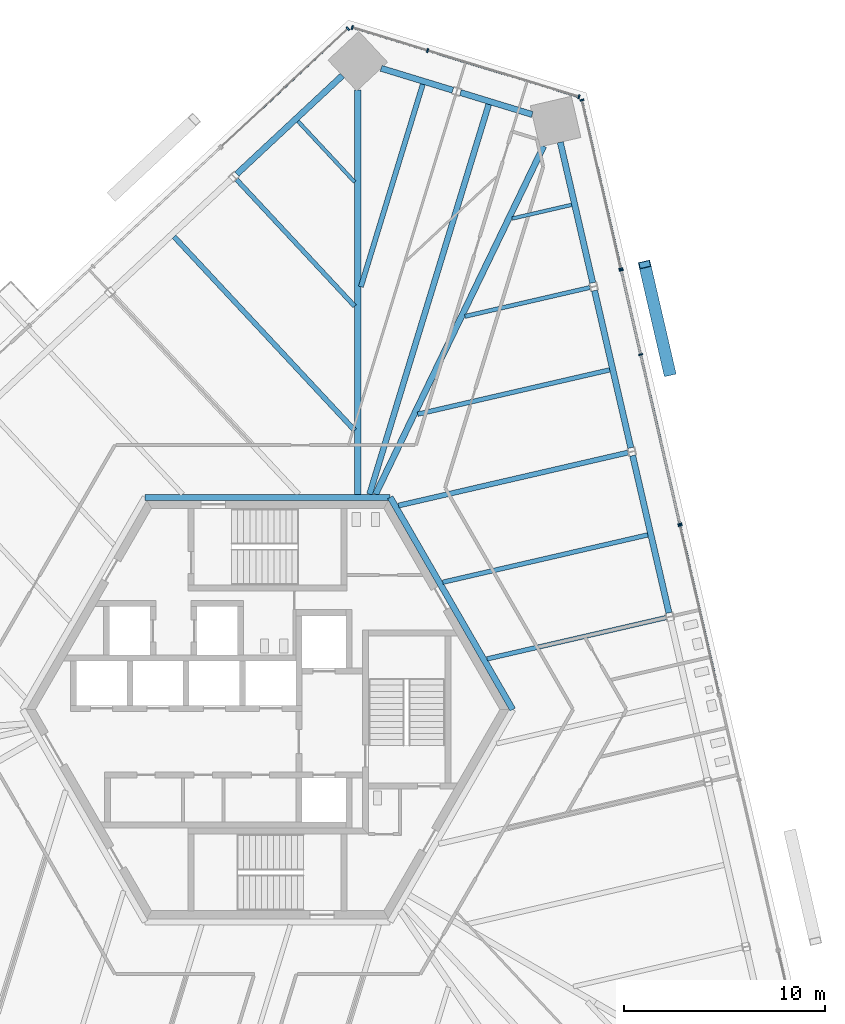
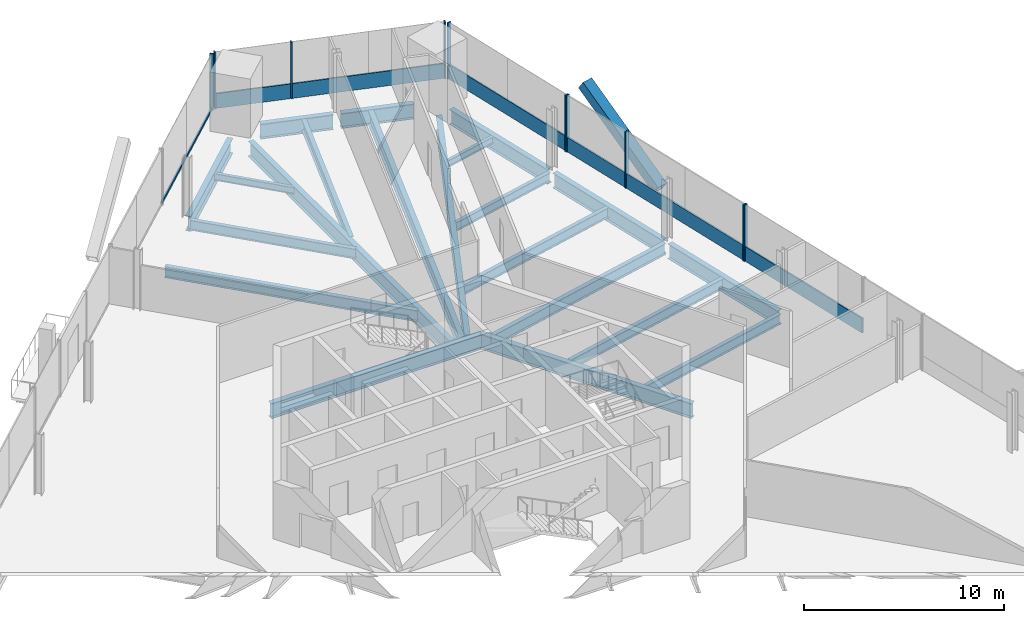
# One storey, part 8 of 17: 21 beams, 18 members, 5 elements without a shape of their own.
"""IFC4 building model written with IfcOpenShell, lengths in metres."""

from ifc_helpers import new_model, si_unit, direction, frame, origin, origin_2d, place, context, subcontext, project, spatial, rectangle, hollow_rectangle, i_section, extrude, source, transform, mapped, material, material_profile, profile_set, type_object, element, aggregate, save


model = new_model("IFC4")

# Units and contexts
model_context = context("Model", 3, precision=1e-05, world=origin(), true_north=direction((0.0, 1.0)))
body_context = subcontext(model_context, "Body", "Model", "MODEL_VIEW")
ifc_project = project(units=[si_unit("LENGTHUNIT", "METRE"), si_unit("AREAUNIT", "SQUARE_METRE"), si_unit("VOLUMEUNIT", "CUBIC_METRE"), si_unit("PLANEANGLEUNIT", "RADIAN"), si_unit("MASSUNIT", "GRAM", prefix="KILO")], contexts=[model_context])

# Site, building, storey
site_placement = place(None, origin())
site = spatial("IfcSite", under=ifc_project, at=site_placement, CompositionType="ELEMENT")
building_placement = place(site_placement, origin())
building = spatial("IfcBuilding", under=site, at=building_placement, Name="Triune Harvest Tower", CompositionType="ELEMENT")
storey_placement = place(building_placement, frame((0.0, 0.0, 123.5)))
storey = spatial("IfcBuildingStorey", under=building, at=storey_placement, Name="L31", CompositionType="ELEMENT", Elevation=123.5)

# Curtain wall, member
ifc_material_1 = material(Name="Aluminium bronze anodised", Category="aluminium")
curtain_wall_type_1 = type_object("IfcCurtainWallType", Name="CW-7 Tower stick curtain wall with insulated spandrel infill", PredefinedType="NOTDEFINED", material=ifc_material_1)
curtain_wall_1_placement = place(storey_placement, origin())
curtain_wall_1 = element("IfcCurtainWall", 1, at=curtain_wall_1_placement, inside=storey, type_object=curtain_wall_type_1, Name="CW-7 B3-F1 L31 run 3001")
ifc_material_2 = material(Name="Aluminium bronze anodised", Category="aluminium")
ifc_material_profile_1 = material_profile(ifc_material_2, rectangle(XDim=0.090087890625, YDim=0.89990234375, at=origin_2d()), Name="TR-1 transom 90 x 900")
ifc_profile_set_1 = profile_set([ifc_material_profile_1], Name="Aluminium bronze anodised")
member_type_1 = type_object("IfcMemberType", Name="TR-1 transom 90 x 900", PredefinedType="USERDEFINED", material=ifc_profile_set_1)
member_1_placement = place(storey_placement, frame((18.523681640625, 17.67236328125, 0.449951171875), z_axis=(-0.224960767235, 0.974367822337, 0.0), x_axis=(-0.974367822337, -0.224960767235, 0.0)))
member_1 = element("IfcMember", 2, at=member_1_placement, type_object=member_type_1, Name="CW-7 transom B3-F1 3001.2", ObjectType="TRANSOM", PredefinedType="USERDEFINED", context=body_context, shape_type="SweptSolid", body=[
    extrude(rectangle(XDim=0.090087890625, YDim=0.89990234375, at=origin_2d()), origin(), (0.0, 0.0, 1.0), 4.22607421875),
])

# Beams
ifc_material_3 = material(Name="Steel ASTM A992 Gr 50", Category="steel")
ifc_material_profile_2 = material_profile(ifc_material_3, i_section(OverallWidth=0.3046875, OverallDepth=0.914306640625, WebThickness=0.0166015625, FlangeThickness=0.02587890625, at=origin_2d()), Name="W36x160")
ifc_profile_set_2 = profile_set([ifc_material_profile_2], Name="Steel ASTM A992 Gr 50")
beam_type_1 = type_object("IfcBeamType", Name="CG-1 Core ring girder W36x160", PredefinedType="BEAM", material=ifc_profile_set_2)
shared_shape_1 = source(origin(), body_context, "Body", "SweptSolid", [
    extrude(i_section(OverallWidth=0.3046875, OverallDepth=0.914306640625, WebThickness=0.0166015625, FlangeThickness=0.02587890625, at=origin_2d()), origin(), (0.0, 0.0, 1.0), 12.176025390625),
])
beam_1_placement = place(storey_placement, frame((12.176025390625, 0.0, -0.6171875), z_axis=(-0.5000099932, 0.866019634131, 0.0), x_axis=(-0.866019634131, -0.5000099932, 0.0)))
element("IfcBeam", 3, at=beam_1_placement, inside=storey, type_object=beam_type_1, Name="beam/L31/CG1", PredefinedType="BEAM", context=body_context, shape_type="MappedRepresentation", body=[
    mapped(shared_shape_1, transform((0.0, 0.0, 0.0), scale=1.0)),
])
shared_shape_2 = source(origin(), body_context, "Body", "SweptSolid", [
    extrude(i_section(OverallWidth=0.3046875, OverallDepth=0.914306640625, WebThickness=0.0166015625, FlangeThickness=0.02587890625, at=origin_2d()), origin(), (0.0, 0.0, 1.0), 12.17578125),
])
beam_2_placement = place(storey_placement, frame((6.087890625, 10.544677734375, -0.6171875), z_axis=(-1.0, 0.0, 0.0), x_axis=(0.0, -1.0, 0.0)))
element("IfcBeam", 4, at=beam_2_placement, inside=storey, type_object=beam_type_1, Name="beam/L31/CG2", PredefinedType="BEAM", context=body_context, shape_type="MappedRepresentation", body=[
    mapped(shared_shape_2, transform((0.0, 0.0, 0.0), scale=1.0)),
])
ifc_material_4 = material(Name="Steel ASTM A992 Gr 50", Category="steel")
ifc_material_profile_3 = material_profile(ifc_material_4, i_section(OverallWidth=0.3046875, OverallDepth=0.914306640625, WebThickness=0.0166015625, FlangeThickness=0.02587890625, at=origin_2d()), Name="W36x160")
ifc_profile_set_3 = profile_set([ifc_material_profile_3], Name="Steel ASTM A992 Gr 50")
beam_type_2 = type_object("IfcBeamType", Name="SB-1 Spandrel beam W36x160", PredefinedType="SPANDREL", material=ifc_profile_set_3)
shared_shape_3 = source(origin(), body_context, "Body", "SweptSolid", [
    extrude(i_section(OverallWidth=0.3046875, OverallDepth=0.914306640625, WebThickness=0.0166015625, FlangeThickness=0.02587890625, at=origin_2d()), origin(), (0.0, 0.0, 1.0), 8.0185546875),
])
beam_3_placement = place(storey_placement, frame((18.04248046875, 13.00439453125, -0.6171875), z_axis=(-0.224915098534, 0.974378365139, 0.0), x_axis=(-0.974378365139, -0.224915098534, 0.0)))
element("IfcBeam", 5, at=beam_3_placement, inside=storey, type_object=beam_type_2, Name="beam/L31/SB5", PredefinedType="SPANDREL", context=body_context, shape_type="MappedRepresentation", body=[
    mapped(shared_shape_3, transform((0.0, 0.0, 0.0), scale=1.0)),
])
shared_shape_4 = source(origin(), body_context, "Body", "SweptSolid", [
    extrude(i_section(OverallWidth=0.3046875, OverallDepth=0.914306640625, WebThickness=0.0166015625, FlangeThickness=0.02587890625, at=origin_2d()), origin(), (0.0, 0.0, 1.0), 8.01806640625),
])
beam_4_placement = place(storey_placement, frame((19.935546875, 4.805908203125, -0.6171875), z_axis=(-0.224957352975, 0.97436861061, 0.0), x_axis=(-0.97436861061, -0.224957352975, 0.0)))
element("IfcBeam", 6, at=beam_4_placement, inside=storey, type_object=beam_type_2, Name="beam/L31/SB4", PredefinedType="SPANDREL", context=body_context, shape_type="MappedRepresentation", body=[
    mapped(shared_shape_4, transform((0.0, 0.0, 0.0), scale=1.0)),
])
shared_shape_5 = source(origin(), body_context, "Body", "SweptSolid", [
    extrude(i_section(OverallWidth=0.3046875, OverallDepth=0.914306640625, WebThickness=0.0166015625, FlangeThickness=0.02587890625, at=origin_2d()), origin(), (0.0, 0.0, 1.0), 7.16650390625),
])
for number, where, z_axis, x_axis, name in (
    (7, (16.14990234375, 21.203369140625, -0.6171875), (-0.224981420466, 0.974363053715, 0.0), (-0.974363053715, -0.224981420466, 0.0), "beam/L31/SB6"),
    (8, (3.709228515625, 31.49658203125, -0.6171875), (-0.731357675554, -0.681994098515, 0.0), (0.681994098515, -0.731357675554, 0.0), "beam/L31/SB9"),
):
    element("IfcBeam", number, at=place(storey_placement, frame(where, z_axis=z_axis, x_axis=x_axis)), inside=storey, type_object=beam_type_2, Name=name, PredefinedType="SPANDREL", context=body_context, shape_type="MappedRepresentation", body=[
        mapped(shared_shape_5, transform((0.0, 0.0, 0.0), scale=1.0)),
    ])
shared_shape_6 = source(origin(), body_context, "Body", "SweptSolid", [
    extrude(i_section(OverallWidth=0.3046875, OverallDepth=0.914306640625, WebThickness=0.0166015625, FlangeThickness=0.02587890625, at=origin_2d()), origin(), (0.0, 0.0, 1.0), 3.72607421875),
])
beam_5_placement = place(storey_placement, frame((13.14208984375, 29.563720703125, -0.6171875), z_axis=(-0.956307307825, 0.292363357829, 0.0), x_axis=(-0.292363357829, -0.956307307825, 0.0)))
element("IfcBeam", 9, at=beam_5_placement, inside=storey, type_object=beam_type_2, Name="beam/L31/SB7", PredefinedType="SPANDREL", context=body_context, shape_type="MappedRepresentation", body=[
    mapped(shared_shape_6, transform((0.0, 0.0, 0.0), scale=1.0)),
])
shared_shape_7 = source(origin(), body_context, "Body", "SweptSolid", [
    extrude(i_section(OverallWidth=0.3046875, OverallDepth=0.914306640625, WebThickness=0.0166015625, FlangeThickness=0.02587890625, at=origin_2d()), origin(), (0.0, 0.0, 1.0), 3.725830078125),
])
beam_6_placement = place(storey_placement, frame((9.19970703125, 30.768798828125, -0.6171875), z_axis=(-0.956301706638, 0.292381678431, 0.0), x_axis=(-0.292381678431, -0.956301706638, 0.0)))
element("IfcBeam", 10, at=beam_6_placement, inside=storey, type_object=beam_type_2, Name="beam/L31/SB8", PredefinedType="SPANDREL", context=body_context, shape_type="MappedRepresentation", body=[
    mapped(shared_shape_7, transform((0.0, 0.0, 0.0), scale=1.0)),
])
ifc_material_5 = material(Name="Steel ASTM A992 Gr 50", Category="steel")
ifc_material_profile_4 = material_profile(ifc_material_5, i_section(OverallWidth=0.307373046875, OverallDepth=0.922119140625, WebThickness=0.018310546875, FlangeThickness=0.030029296875, at=origin_2d()), Name="W36x182")
ifc_profile_set_4 = profile_set([ifc_material_profile_4], Name="Steel ASTM A992 Gr 50")
beam_type_3 = type_object("IfcBeamType", Name="HG-2 Hip girder W36x182", PredefinedType="BEAM", material=ifc_profile_set_4)
shared_shape_8 = source(origin(), body_context, "Body", "SweptSolid", [
    extrude(i_section(OverallWidth=0.307373046875, OverallDepth=0.922119140625, WebThickness=0.018310546875, FlangeThickness=0.030029296875, at=origin_2d()), origin(), (0.0, 0.0, 1.0), 19.2109375),
])
beam_7_placement = place(storey_placement, frame((13.7158203125, 27.996337890625, -0.62109375), z_axis=(-0.434869540736, -0.900493466129, 0.0), x_axis=(0.900493466129, -0.434869540736, 0.0)))
element("IfcBeam", 11, at=beam_7_placement, inside=storey, type_object=beam_type_3, Name="beam/L31/HG3", PredefinedType="BEAM", context=body_context, shape_type="MappedRepresentation", body=[
    mapped(shared_shape_8, transform((0.0, 0.0, 0.0), scale=1.0)),
])
shared_shape_9 = source(origin(), body_context, "Body", "SweptSolid", [
    extrude(i_section(OverallWidth=0.307373046875, OverallDepth=0.922119140625, WebThickness=0.018310546875, FlangeThickness=0.030029296875, at=origin_2d()), origin(), (0.0, 0.0, 1.0), 20.080078125),
])
beam_8_placement = place(storey_placement, frame((4.47705078125, 30.777099609375, -0.62109375), z_axis=(0.0, -1.0, 0.0), x_axis=(1.0, 0.0, 0.0)))
element("IfcBeam", 12, at=beam_8_placement, inside=storey, type_object=beam_type_3, Name="beam/L31/HG4", PredefinedType="BEAM", context=body_context, shape_type="MappedRepresentation", body=[
    mapped(shared_shape_9, transform((0.0, 0.0, 0.0), scale=1.0)),
])
ifc_material_6 = material(Name="Steel ASTM A992 Gr 50", Category="steel")
ifc_material_profile_5 = material_profile(ifc_material_6, i_section(OverallWidth=0.22900390625, OverallDepth=0.612060546875, WebThickness=0.011962890625, FlangeThickness=0.01953125, at=origin_2d()), Name="W24x84")
ifc_profile_set_5 = profile_set([ifc_material_profile_5], Name="Steel ASTM A992 Gr 50")
beam_type_4 = type_object("IfcBeamType", Name="JT-3 Floor joist W24x84", PredefinedType="JOIST", material=ifc_profile_set_5)
shared_shape_10 = source(origin(), body_context, "Body", "SweptSolid", [
    extrude(i_section(OverallWidth=0.22900390625, OverallDepth=0.612060546875, WebThickness=0.011962890625, FlangeThickness=0.01953125, at=origin_2d()), origin(), (0.0, 0.0, 1.0), 9.129150390625),
])
beam_9_placement = place(storey_placement, frame((19.79443359375, 4.56982421875, -0.466064453125), z_axis=(-0.974374065454, -0.22493372484, 0.0), x_axis=(0.22493372484, -0.974374065454, 0.0)))
element("IfcBeam", 13, at=beam_9_placement, inside=storey, type_object=beam_type_4, Name="beam/L31/JT6", PredefinedType="JOIST", context=body_context, shape_type="MappedRepresentation", body=[
    mapped(shared_shape_10, transform((0.0, 0.0, 0.0), scale=1.0)),
])
shared_shape_11 = source(origin(), body_context, "Body", "SweptSolid", [
    extrude(i_section(OverallWidth=0.22900390625, OverallDepth=0.612060546875, WebThickness=0.011962890625, FlangeThickness=0.01953125, at=origin_2d()), origin(), (0.0, 0.0, 1.0), 10.45361328125),
])
beam_10_placement = place(storey_placement, frame((18.88525390625, 8.677978515625, -0.466064453125), z_axis=(-0.974370329956, -0.224949905758, 0.0), x_axis=(0.224949905758, -0.974370329956, 0.0)))
element("IfcBeam", 14, at=beam_10_placement, inside=storey, type_object=beam_type_4, Name="beam/L31/JT7", PredefinedType="JOIST", context=body_context, shape_type="MappedRepresentation", body=[
    mapped(shared_shape_11, transform((0.0, 0.0, 0.0), scale=1.0)),
])
ifc_material_7 = material(Name="Steel ASTM A992 Gr 50", Category="steel")
ifc_material_profile_6 = material_profile(ifc_material_7, i_section(OverallWidth=0.253662109375, OverallDepth=0.683349609375, WebThickness=0.012451171875, FlangeThickness=0.01904296875, at=origin_2d()), Name="W27x94")
ifc_profile_set_6 = profile_set([ifc_material_profile_6], Name="Steel ASTM A992 Gr 50")
beam_type_5 = type_object("IfcBeamType", Name="JT-4 Floor joist W27x94", PredefinedType="JOIST", material=ifc_profile_set_6)
shared_shape_12 = source(origin(), body_context, "Body", "SweptSolid", [
    extrude(i_section(OverallWidth=0.253662109375, OverallDepth=0.683349609375, WebThickness=0.012451171875, FlangeThickness=0.01904296875, at=origin_2d()), origin(), (0.0, 0.0, 1.0), 11.701904296875),
])
beam_11_placement = place(storey_placement, frame((17.901611328125, 12.768798828125, -0.501708984375), z_axis=(-0.974365520252, -0.224970737974, 0.0), x_axis=(0.224970737974, -0.974365520252, 0.0)))
element("IfcBeam", 15, at=beam_11_placement, inside=storey, type_object=beam_type_5, Name="beam/L31/JT8", PredefinedType="JOIST", context=body_context, shape_type="MappedRepresentation", body=[
    mapped(shared_shape_12, transform((0.0, 0.0, 0.0), scale=1.0)),
])
shared_shape_13 = source(origin(), body_context, "Body", "SweptSolid", [
    extrude(i_section(OverallWidth=0.22900390625, OverallDepth=0.612060546875, WebThickness=0.011962890625, FlangeThickness=0.01953125, at=origin_2d()), origin(), (0.0, 0.0, 1.0), 9.790283203125),
])
beam_12_placement = place(storey_placement, frame((16.9921875, 16.876708984375, -0.466064453125), z_axis=(-0.974368495141, -0.224957853113, 0.0), x_axis=(0.224957853113, -0.974368495141, 0.0)))
element("IfcBeam", 16, at=beam_12_placement, inside=storey, type_object=beam_type_4, Name="beam/L31/JT9", PredefinedType="JOIST", context=body_context, shape_type="MappedRepresentation", body=[
    mapped(shared_shape_13, transform((0.0, 0.0, 0.0), scale=1.0)),
])
ifc_material_8 = material(Name="Steel ASTM A992 Gr 50", Category="steel")
ifc_material_profile_7 = material_profile(ifc_material_8, i_section(OverallWidth=0.2099609375, OverallDepth=0.535888671875, WebThickness=0.010986328125, FlangeThickness=0.017333984375, at=origin_2d()), Name="W21x68")
ifc_profile_set_7 = profile_set([ifc_material_profile_7], Name="Steel ASTM A992 Gr 50")
beam_type_6 = type_object("IfcBeamType", Name="JT-2 Floor joist W21x68", PredefinedType="JOIST", material=ifc_profile_set_7)
shared_shape_14 = source(origin(), body_context, "Body", "SweptSolid", [
    extrude(i_section(OverallWidth=0.2099609375, OverallDepth=0.535888671875, WebThickness=0.010986328125, FlangeThickness=0.017333984375, at=origin_2d()), origin(), (0.0, 0.0, 1.0), 6.372314453125),
])
beam_13_placement = place(storey_placement, frame((16.0087890625, 20.967529296875, -0.427978515625), z_axis=(-0.974365360565, -0.224971429586, 0.0), x_axis=(0.224971429586, -0.974365360565, 0.0)))
element("IfcBeam", 17, at=beam_13_placement, inside=storey, type_object=beam_type_6, Name="beam/L31/JT10", PredefinedType="JOIST", context=body_context, shape_type="MappedRepresentation", body=[
    mapped(shared_shape_14, transform((0.0, 0.0, 0.0), scale=1.0)),
])
ifc_material_9 = material(Name="Steel ASTM A992 Gr 50", Category="steel")
ifc_material_profile_8 = material_profile(ifc_material_9, i_section(OverallWidth=0.180908203125, OverallDepth=0.41650390625, WebThickness=0.010986328125, FlangeThickness=0.01806640625, at=origin_2d()), Name="W16x57")
ifc_profile_set_8 = profile_set([ifc_material_profile_8], Name="Steel ASTM A992 Gr 50")
beam_type_7 = type_object("IfcBeamType", Name="JT-1 Floor joist W16x57", PredefinedType="JOIST", material=ifc_profile_set_8)
shared_shape_15 = source(origin(), body_context, "Body", "SweptSolid", [
    extrude(i_section(OverallWidth=0.180908203125, OverallDepth=0.41650390625, WebThickness=0.010986328125, FlangeThickness=0.01806640625, at=origin_2d()), origin(), (0.0, 0.0, 1.0), 3.0302734375),
])
beam_14_placement = place(storey_placement, frame((15.099365234375, 25.075439453125, -0.368408203125), z_axis=(-0.974372182121, -0.224941882957, 0.0), x_axis=(0.224941882957, -0.974372182121, 0.0)))
element("IfcBeam", 18, at=beam_14_placement, inside=storey, type_object=beam_type_7, Name="beam/L31/JT11", PredefinedType="JOIST", context=body_context, shape_type="MappedRepresentation", body=[
    mapped(shared_shape_15, transform((0.0, 0.0, 0.0), scale=1.0)),
])
ifc_material_10 = material(Name="Steel ASTM A992 Gr 50", Category="steel")
ifc_material_profile_9 = material_profile(ifc_material_10, i_section(OverallWidth=0.2919921875, OverallDepth=0.8583984375, WebThickness=0.01708984375, FlangeThickness=0.031005859375, at=origin_2d()), Name="W33x169")
ifc_profile_set_9 = profile_set([ifc_material_profile_9], Name="Steel ASTM A992 Gr 50")
beam_type_8 = type_object("IfcBeamType", Name="JT-7 Floor joist W33x169", PredefinedType="JOIST", material=ifc_profile_set_9)
shared_shape_16 = source(origin(), body_context, "Body", "SweptSolid", [
    extrude(i_section(OverallWidth=0.2919921875, OverallDepth=0.8583984375, WebThickness=0.01708984375, FlangeThickness=0.031005859375, at=origin_2d()), origin(), (0.0, 0.0, 1.0), 20.252685546875),
])
beam_15_placement = place(storey_placement, frame((10.982177734375, 30.064697265625, -0.58935546875), z_axis=(-0.292364925189, -0.956306828648, 0.0), x_axis=(0.956306828648, -0.292364925189, 0.0)))
element("IfcBeam", 19, at=beam_15_placement, inside=storey, type_object=beam_type_8, Name="beam/L31/JT12", PredefinedType="JOIST", context=body_context, shape_type="MappedRepresentation", body=[
    mapped(shared_shape_16, transform((0.0, 0.0, 0.0), scale=1.0)),
])
shared_shape_17 = source(origin(), body_context, "Body", "SweptSolid", [
    extrude(i_section(OverallWidth=0.253662109375, OverallDepth=0.683349609375, WebThickness=0.012451171875, FlangeThickness=0.01904296875, at=origin_2d()), origin(), (0.0, 0.0, 1.0), 10.522705078125),
])
beam_16_placement = place(storey_placement, frame((7.707275390625, 31.065673828125, -0.501708984375), z_axis=(-0.292358820543, -0.956308694957, 0.0), x_axis=(0.956308694957, -0.292358820543, 0.0)))
element("IfcBeam", 20, at=beam_16_placement, inside=storey, type_object=beam_type_5, Name="beam/L31/JT13", PredefinedType="JOIST", context=body_context, shape_type="MappedRepresentation", body=[
    mapped(shared_shape_17, transform((0.0, 0.0, 0.0), scale=1.0)),
])
shared_shape_18 = source(origin(), body_context, "Body", "SweptSolid", [
    extrude(i_section(OverallWidth=0.180908203125, OverallDepth=0.41650390625, WebThickness=0.010986328125, FlangeThickness=0.01806640625, at=origin_2d()), origin(), (0.0, 0.0, 1.0), 4.134033203125),
])
beam_17_placement = place(storey_placement, frame((1.504150390625, 29.23193359375, -0.368408203125), z_axis=(0.681989931417, -0.731361561367, 0.0), x_axis=(0.731361561367, 0.681989931417, 0.0)))
element("IfcBeam", 21, at=beam_17_placement, inside=storey, type_object=beam_type_7, Name="beam/L31/JT14", PredefinedType="JOIST", context=body_context, shape_type="MappedRepresentation", body=[
    mapped(shared_shape_18, transform((0.0, 0.0, 0.0), scale=1.0)),
])
shared_shape_19 = source(origin(), body_context, "Body", "SweptSolid", [
    extrude(i_section(OverallWidth=0.22900390625, OverallDepth=0.612060546875, WebThickness=0.011962890625, FlangeThickness=0.01953125, at=origin_2d()), origin(), (0.0, 0.0, 1.0), 8.607666015625),
])
beam_18_placement = place(storey_placement, frame((-1.546875, 26.334716796875, -0.466064453125), z_axis=(0.681999854465, -0.731352308063, 0.0), x_axis=(0.731352308063, 0.681999854465, 0.0)))
element("IfcBeam", 22, at=beam_18_placement, inside=storey, type_object=beam_type_4, Name="beam/L31/JT15", PredefinedType="JOIST", context=body_context, shape_type="MappedRepresentation", body=[
    mapped(shared_shape_19, transform((0.0, 0.0, 0.0), scale=1.0)),
])
shared_shape_20 = source(origin(), body_context, "Body", "SweptSolid", [
    extrude(i_section(OverallWidth=0.253662109375, OverallDepth=0.683349609375, WebThickness=0.012451171875, FlangeThickness=0.01904296875, at=origin_2d()), origin(), (0.0, 0.0, 1.0), 13.157470703125),
])
beam_19_placement = place(storey_placement, frame((-4.64990234375, 23.493408203125, -0.501708984375), z_axis=(0.681997545037, -0.731354461642, 0.0), x_axis=(0.731354461642, 0.681997545037, 0.0)))
element("IfcBeam", 23, at=beam_19_placement, inside=storey, type_object=beam_type_5, Name="beam/L31/JT16", PredefinedType="JOIST", context=body_context, shape_type="MappedRepresentation", body=[
    mapped(shared_shape_20, transform((0.0, 0.0, 0.0), scale=1.0)),
])

# Member
ifc_material_11 = material(Name="Steel ASTM A572 Gr 50", Category="steel")
ifc_material_profile_10 = material_profile(ifc_material_11, hollow_rectangle(XDim=0.60009765625, YDim=0.60009765625, WallThickness=0.0400390625, at=origin_2d()), Name="Box 600x600x40")
ifc_profile_set_10 = profile_set([ifc_material_profile_10], Name="Steel ASTM A572 Gr 50")
member_type_2 = type_object("IfcMemberType", Name="BR-2 Brace Box 600x600x40", PredefinedType="BRACE", material=ifc_profile_set_10)
shared_shape_21 = source(origin(), body_context, "Body", "SweptSolid", [
    extrude(hollow_rectangle(XDim=0.60009765625, YDim=0.60009765625, WallThickness=0.0400390625, at=origin_2d()), origin(), (0.0, 0.0, 1.0), 6.56640625),
])
member_2_placement = place(storey_placement, frame((19.965576171875, 16.76123046875, 0.0), z_axis=(-0.188130999407, 0.814874923715, 0.548256861117), x_axis=(-0.974369462042, -0.224953665097, 0.0)))
element("IfcMember", 24, at=member_2_placement, inside=storey, type_object=member_type_2, Name="brace/B3-F1/d1/8", PredefinedType="BRACE", context=body_context, shape_type="MappedRepresentation", body=[
    mapped(shared_shape_21, transform((0.0, 0.0, 0.0), scale=1.0)),
])

# Curtain wall, member
ifc_material_12 = material(Name="Aluminium bronze anodised", Category="aluminium")
curtain_wall_type_2 = type_object("IfcCurtainWallType", Name="CW-1 Tower stick curtain wall", PredefinedType="NOTDEFINED", material=ifc_material_12)
curtain_wall_2_placement = place(storey_placement, origin())
curtain_wall_2 = element("IfcCurtainWall", 25, at=curtain_wall_2_placement, inside=storey, type_object=curtain_wall_type_2, Name="CW-1 B3-F1 L31 run 2001")
ifc_material_13 = material(Name="Aluminium bronze anodised", Category="aluminium")
ifc_material_profile_11 = material_profile(ifc_material_13, rectangle(XDim=0.199951171875, YDim=0.074951171875, at=origin_2d()), Name="MU-1 mullion 75 x 200")
ifc_profile_set_11 = profile_set([ifc_material_profile_11], Name="Aluminium bronze anodised")
member_type_3 = type_object("IfcMemberType", Name="MU-1 mullion 75 x 200", PredefinedType="MULLION", material=ifc_profile_set_11)
shared_shape_22 = source(origin(), body_context, "Body", "SweptSolid", [
    extrude(rectangle(XDim=0.199951171875, YDim=0.074951171875, at=origin_2d()), origin(), (0.0, 0.0, 1.0), 3.43994140625),
])
member_3_placement = place(storey_placement, frame((20.4921875, 9.14501953125, 0.0), z_axis=(0.0, 0.0, 1.0), x_axis=(-0.974368269886, -0.224958828767, 0.0)))
member_3 = element("IfcMember", 26, at=member_3_placement, type_object=member_type_3, Name="CW-1 mullion B3-F1 2001.3", PredefinedType="MULLION", context=body_context, shape_type="MappedRepresentation", body=[
    mapped(shared_shape_22, transform((0.0, 0.0, 0.0), scale=1.0)),
])

# Member
member_4_placement = place(storey_placement, frame((20.475341796875, 9.218017578125, 0.0), z_axis=(0.0, 0.0, 1.0), x_axis=(-0.97437099045, -0.224947044811, 0.0)))
member_4 = element("IfcMember", 27, at=member_4_placement, type_object=member_type_3, Name="CW-7 mullion B3-F1 3001.1", PredefinedType="MULLION", context=body_context, shape_type="MappedRepresentation", body=[
    mapped(shared_shape_22, transform((0.0, 0.0, 0.0), scale=1.0)),
])

member_5_placement = place(storey_placement, frame((18.531982421875, 17.6357421875, 0.0), z_axis=(0.0, 0.0, 1.0), x_axis=(-0.97437099045, -0.224947044811, 0.0)))
member_5 = element("IfcMember", 28, at=member_5_placement, type_object=member_type_3, Name="CW-7 mullion B3-F1 3001.3", PredefinedType="MULLION", context=body_context, shape_type="MappedRepresentation", body=[
    mapped(shared_shape_22, transform((0.0, 0.0, 0.0), scale=1.0)),
])

member_6_placement = place(storey_placement, frame((17.564453125, 21.826416015625, 0.0), z_axis=(0.0, 0.0, 1.0), x_axis=(-0.97437099045, -0.224947044811, 0.0)))
member_6 = element("IfcMember", 29, at=member_6_placement, type_object=member_type_3, Name="CW-7 mullion B3-F1 3001.4", PredefinedType="MULLION", context=body_context, shape_type="MappedRepresentation", body=[
    mapped(shared_shape_22, transform((0.0, 0.0, 0.0), scale=1.0)),
])

# Curtain wall, members
curtain_wall_3_placement = place(storey_placement, origin())
curtain_wall_3 = element("IfcCurtainWall", 30, at=curtain_wall_3_placement, inside=storey, type_object=curtain_wall_type_2, Name="CW-1 B3-F1 L31 run 4001")
member_7_placement = place(storey_placement, frame((17.547607421875, 21.899658203125, 0.0), z_axis=(0.0, 0.0, 1.0), x_axis=(-0.974369461134, -0.224953669027, 0.0)))
member_7 = element("IfcMember", 31, at=member_7_placement, type_object=member_type_3, Name="CW-1 mullion B3-F1 4001.1", PredefinedType="MULLION", context=body_context, shape_type="MappedRepresentation", body=[
    mapped(shared_shape_22, transform((0.0, 0.0, 0.0), scale=1.0)),
])
member_8_placement = place(storey_placement, frame((15.61279296875, 30.28076171875, 0.0), z_axis=(0.0, 0.0, 1.0), x_axis=(-0.974369461134, -0.224953669027, 0.0)))
member_8 = element("IfcMember", 32, at=member_8_placement, type_object=member_type_3, Name="CW-1 mullion B3-F1 4001.3", PredefinedType="MULLION", context=body_context, shape_type="MappedRepresentation", body=[
    mapped(shared_shape_22, transform((0.0, 0.0, 0.0), scale=1.0)),
])

curtain_wall_4_placement = place(storey_placement, origin())
curtain_wall_4 = element("IfcCurtainWall", 33, at=curtain_wall_4_placement, inside=storey, type_object=curtain_wall_type_2, Name="CW-1 B3-F2 L31 run 1")
member_9_placement = place(storey_placement, frame((15.462158203125, 30.4423828125, 0.0), z_axis=(0.0, 0.0, 1.0), x_axis=(-0.292376962095, -0.956303148607, 0.0)))
member_9 = element("IfcMember", 34, at=member_9_placement, type_object=member_type_3, Name="CW-1 mullion B3-F2 1.1", PredefinedType="MULLION", context=body_context, shape_type="MappedRepresentation", body=[
    mapped(shared_shape_22, transform((0.0, 0.0, 0.0), scale=1.0)),
])
member_10_placement = place(storey_placement, frame((7.945068359375, 32.740478515625, 0.0), z_axis=(0.0, 0.0, 1.0), x_axis=(-0.292376962095, -0.956303148607, 0.0)))
member_10 = element("IfcMember", 35, at=member_10_placement, type_object=member_type_3, Name="CW-1 mullion B3-F2 1.3", PredefinedType="MULLION", context=body_context, shape_type="MappedRepresentation", body=[
    mapped(shared_shape_22, transform((0.0, 0.0, 0.0), scale=1.0)),
])
member_11_placement = place(storey_placement, frame((4.20458984375, 33.884033203125, 0.0), z_axis=(0.0, 0.0, 1.0), x_axis=(-0.292376962095, -0.956303148607, 0.0)))
member_11 = element("IfcMember", 36, at=member_11_placement, type_object=member_type_3, Name="CW-1 mullion B3-F2 1.4", PredefinedType="MULLION", context=body_context, shape_type="MappedRepresentation", body=[
    mapped(shared_shape_22, transform((0.0, 0.0, 0.0), scale=1.0)),
])

# Curtain wall, member
ifc_material_14 = material(Name="Aluminium bronze anodised", Category="aluminium")
curtain_wall_type_3 = type_object("IfcCurtainWallType", Name="CW-6 Balcony window wall", PredefinedType="NOTDEFINED", material=ifc_material_14)
curtain_wall_5_placement = place(storey_placement, origin())
curtain_wall_5 = element("IfcCurtainWall", 37, at=curtain_wall_5_placement, inside=storey, type_object=curtain_wall_type_3, Name="CW-6 B3-F3 L31 run 1")
ifc_material_15 = material(Name="Aluminium bronze anodised", Category="aluminium")
ifc_material_profile_12 = material_profile(ifc_material_15, rectangle(XDim=0.199951171875, YDim=0.074951171875, at=origin_2d()), Name="MU-6 mullion 75 x 200")
ifc_profile_set_12 = profile_set([ifc_material_profile_12], Name="Aluminium bronze anodised")
member_type_4 = type_object("IfcMemberType", Name="MU-6 mullion 75 x 200", PredefinedType="MULLION", material=ifc_profile_set_12)
shared_shape_23 = source(origin(), body_context, "Body", "SweptSolid", [
    extrude(rectangle(XDim=0.199951171875, YDim=0.074951171875, at=origin_2d()), origin(), (0.0, 0.0, 1.0), 3.43994140625),
])
member_12_placement = place(storey_placement, frame((3.9892578125, 33.83447265625, 0.0), z_axis=(0.0, 0.0, 1.0), x_axis=(0.681997698719, -0.731354318331, 0.0)))
member_12 = element("IfcMember", 38, at=member_12_placement, type_object=member_type_4, Name="CW-6 mullion B3-F3 1.1", PredefinedType="MULLION", context=body_context, shape_type="MappedRepresentation", body=[
    mapped(shared_shape_23, transform((0.0, 0.0, 0.0), scale=1.0)),
])

# Member
shared_shape_24 = source(origin(), body_context, "Body", "SweptSolid", [
    extrude(rectangle(XDim=0.090087890625, YDim=0.89990234375, at=origin_2d()), origin(), (0.0, 0.0, 1.0), 7.78564453125),
])
member_13_placement = place(storey_placement, frame((15.42626953125, 30.453125, 0.449951171875), z_axis=(-0.956300923205, 0.292384240817, 0.0), x_axis=(-0.292384240817, -0.956300923205, 0.0)))
member_13 = element("IfcMember", 39, at=member_13_placement, type_object=member_type_1, Name="CW-1 transom B3-F2 1.1", ObjectType="TRANSOM", PredefinedType="USERDEFINED", context=body_context, shape_type="MappedRepresentation", body=[
    mapped(shared_shape_24, transform((0.0, 0.0, 0.0), scale=1.0)),
])

shared_shape_25 = source(origin(), body_context, "Body", "SweptSolid", [
    extrude(rectangle(XDim=0.090087890625, YDim=0.89990234375, at=origin_2d()), origin(), (0.0, 0.0, 1.0), 3.83642578125),
])
member_14_placement = place(storey_placement, frame((7.9091796875, 32.75146484375, 0.449951171875), z_axis=(-0.956308580564, 0.292359194724, 0.0), x_axis=(-0.292359194724, -0.956308580564, 0.0)))
member_14 = element("IfcMember", 40, at=member_14_placement, type_object=member_type_1, Name="CW-1 transom B3-F2 1.2", ObjectType="TRANSOM", PredefinedType="USERDEFINED", context=body_context, shape_type="MappedRepresentation", body=[
    mapped(shared_shape_25, transform((0.0, 0.0, 0.0), scale=1.0)),
])

aggregate(curtain_wall_4, [member_9, member_10, member_11, member_13, member_14])

shared_shape_26 = source(origin(), body_context, "Body", "SweptSolid", [
    extrude(rectangle(XDim=0.090087890625, YDim=0.89990234375, at=origin_2d()), origin(), (0.0, 0.0, 1.0), 8.564208984375),
])
member_15_placement = place(storey_placement, frame((20.467041015625, 9.254638671875, 0.449951171875), z_axis=(-0.224949030659, 0.974370531988, 0.0), x_axis=(-0.974370531988, -0.224949030659, 0.0)))
member_15 = element("IfcMember", 41, at=member_15_placement, type_object=member_type_1, Name="CW-7 transom B3-F1 3001.1", ObjectType="TRANSOM", PredefinedType="USERDEFINED", context=body_context, shape_type="MappedRepresentation", body=[
    mapped(shared_shape_26, transform((0.0, 0.0, 0.0), scale=1.0)),
])

aggregate(curtain_wall_1, [member_4, member_5, member_6, member_15, member_1])

ifc_material_16 = material(Name="Aluminium bronze anodised", Category="aluminium")
ifc_material_profile_13 = material_profile(ifc_material_16, rectangle(XDim=0.090087890625, YDim=0.14990234375, at=origin_2d()), Name="TR-6 transom 90 x 150")
ifc_profile_set_13 = profile_set([ifc_material_profile_13], Name="Aluminium bronze anodised")
member_type_5 = type_object("IfcMemberType", Name="TR-6 transom 90 x 150", PredefinedType="USERDEFINED", material=ifc_profile_set_13)
shared_shape_27 = source(origin(), body_context, "Body", "SweptSolid", [
    extrude(rectangle(XDim=0.090087890625, YDim=0.14990234375, at=origin_2d()), origin(), (0.0, 0.0, 1.0), 8.520751953125),
])
member_16_placement = place(storey_placement, frame((3.9619140625, 33.808837890625, 0.074951171875), z_axis=(-0.731360098064, -0.681991500651, 0.0), x_axis=(0.681991500651, -0.731360098064, 0.0)))
member_16 = element("IfcMember", 42, at=member_16_placement, type_object=member_type_5, Name="CW-6 transom B3-F3 1.1", ObjectType="TRANSOM", PredefinedType="USERDEFINED", context=body_context, shape_type="MappedRepresentation", body=[
    mapped(shared_shape_27, transform((0.0, 0.0, 0.0), scale=1.0)),
])

aggregate(curtain_wall_5, [member_12, member_16])

shared_shape_28 = source(origin(), body_context, "Body", "SweptSolid", [
    extrude(rectangle(XDim=0.090087890625, YDim=0.89990234375, at=origin_2d()), origin(), (0.0, 0.0, 1.0), 8.526611328125),
])
member_17_placement = place(storey_placement, frame((22.4189453125, 0.80029296875, 0.449951171875), z_axis=(-0.224966153657, 0.974366578711, 0.0), x_axis=(-0.974366578711, -0.224966153657, 0.0)))
member_17 = element("IfcMember", 43, at=member_17_placement, type_object=member_type_1, Name="CW-1 transom B3-F1 2001.1", ObjectType="TRANSOM", PredefinedType="USERDEFINED", context=body_context, shape_type="MappedRepresentation", body=[
    mapped(shared_shape_28, transform((0.0, 0.0, 0.0), scale=1.0)),
])

aggregate(curtain_wall_2, [member_3, member_17])

member_18_placement = place(storey_placement, frame((17.539306640625, 21.93603515625, 0.449951171875), z_axis=(-0.224966153657, 0.974366578711, 0.0), x_axis=(-0.974366578711, -0.224966153657, 0.0)))
member_18 = element("IfcMember", 44, at=member_18_placement, type_object=member_type_1, Name="CW-1 transom B3-F1 4001.1", ObjectType="TRANSOM", PredefinedType="USERDEFINED", context=body_context, shape_type="MappedRepresentation", body=[
    mapped(shared_shape_28, transform((0.0, 0.0, 0.0), scale=1.0)),
])

aggregate(curtain_wall_3, [member_7, member_8, member_18])

save(model, "model.ifc")
